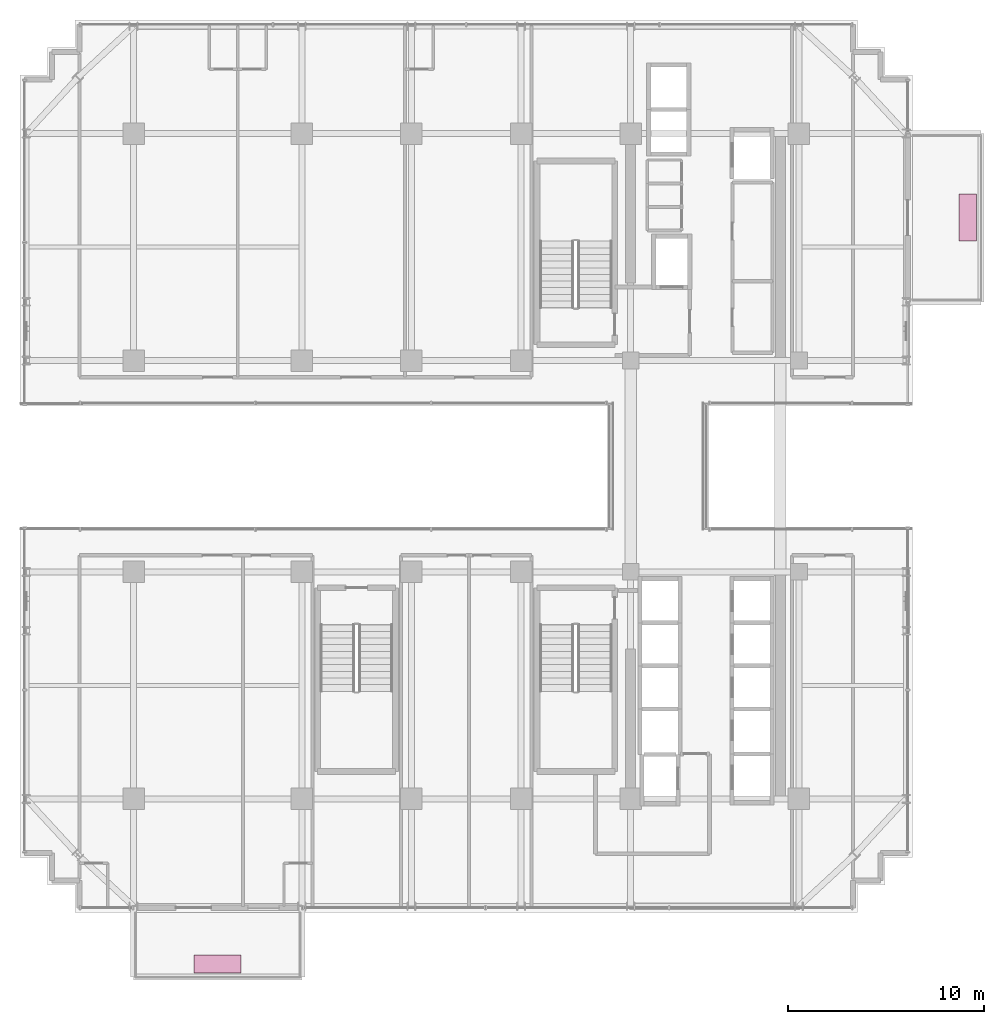
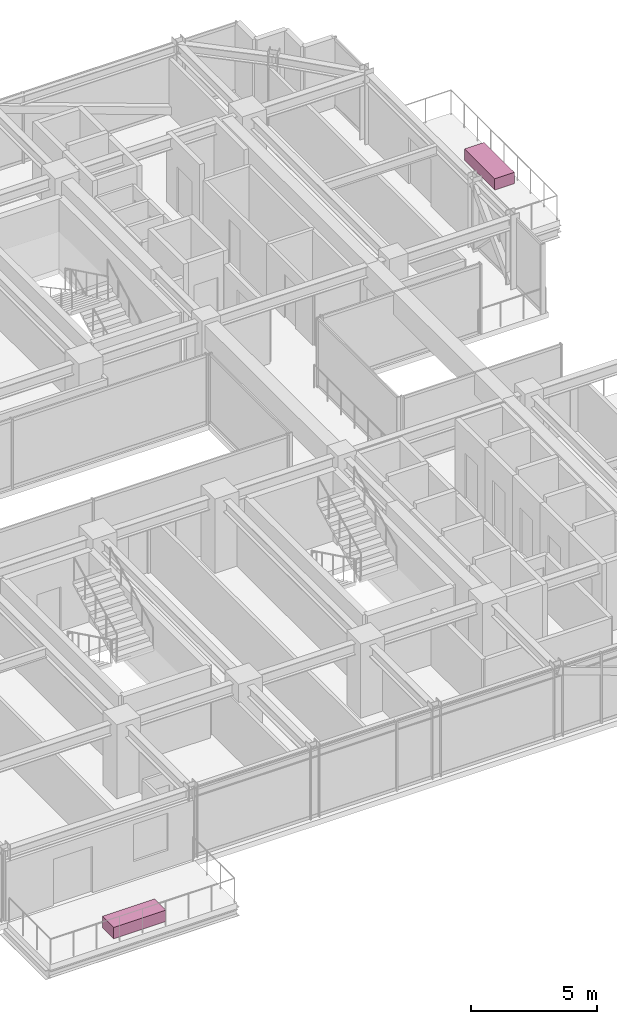
# One storey, part 38 of 38: 2 furnishings.
"""IFC4 building model written with IfcOpenShell, lengths in metres."""

import ifcopenshell
import ifcopenshell.guid

model = None  # the IFC model being written
_history = None  # IfcOwnerHistory: only IFC2X3 demands one
_inside = {}  # id of a spatial element -> (the spatial element, [elements in it])
_under = {}  # id of a project, library or spatial element -> (it, [spatial elements below it])
_declared = {}  # id of a project -> (the project, [libraries it declares])
_typed = {}  # id of a type object -> (the type object, [elements of that type])
_made_of = {}  # id of a material, layer set ... -> (it, [elements and type objects made of it])


def new_model(schema):
    """Start an empty IFC model of exactly this schema.

    Asked for "IFC4X3", IfcOpenShell would pick the latest addendum, in which some entities
    have other attributes; the version numbers below select the first issue.
    IFC2X3 requires an IfcOwnerHistory on every rooted entity: one is made here for all.
    """
    global model, _history
    if schema == "IFC4X3":
        model = ifcopenshell.file(schema_version=(4, 3, 0, 0))
    else:
        model = ifcopenshell.file(schema=schema)
    _inside.clear()
    _under.clear()
    _declared.clear()
    _typed.clear()
    _made_of.clear()
    _history = None
    if model.schema == "IFC2X3":
        org = make("IfcOrganization", Name="unknown")
        user = make(
            "IfcPersonAndOrganization",
            ThePerson=make("IfcPerson", FamilyName="unknown"),
            TheOrganization=org,
        )
        app = make(
            "IfcApplication",
            ApplicationDeveloper=org,
            Version="unknown",
            ApplicationFullName="unknown",
            ApplicationIdentifier="unknown",
        )
        _history = make(
            "IfcOwnerHistory",
            OwningUser=user,
            OwningApplication=app,
            ChangeAction="ADDED",
            CreationDate=0,
        )
    return model


def make(cls, **values):
    """One entity of the class cls with the attributes given. An attribute that is None is left unset."""
    return model.create_entity(
        cls, **{name: value for name, value in values.items() if value is not None}
    )


def rooted(cls, **values):
    """An entity with a GlobalId (a new one), such as an element, a storey or a relation."""
    return make(cls, GlobalId=ifcopenshell.guid.new(), OwnerHistory=_history, **values)


def si_unit(unit_type, name, prefix=None):
    """IfcSIUnit, for example si_unit("LENGTHUNIT", "METRE", prefix="MILLI")."""
    return make("IfcSIUnit", UnitType=unit_type, Prefix=prefix, Name=name)


def assignment(units):
    """IfcUnitAssignment: the units of a project."""
    return None if units is None else make("IfcUnitAssignment", Units=units)


def point(xyz):
    """IfcCartesianPoint."""
    return None if xyz is None else make("IfcCartesianPoint", Coordinates=xyz)


def direction(xyz):
    """IfcDirection."""
    return None if xyz is None else make("IfcDirection", DirectionRatios=xyz)


def frame(location, z_axis=None, x_axis=None):
    """IfcAxis2Placement3D, a coordinate frame: its origin and axes. An axis left out is left unset."""
    return make(
        "IfcAxis2Placement3D",
        Location=point(location),
        Axis=direction(z_axis),
        RefDirection=direction(x_axis),
    )


def frame_2d(location, x_axis=None):
    """IfcAxis2Placement2D, a coordinate frame in the plane: its origin and x axis."""
    return make(
        "IfcAxis2Placement2D", Location=point(location), RefDirection=direction(x_axis)
    )


def origin():
    """The frame at (0, 0, 0) with its axes left unset."""
    return frame((0.0, 0.0, 0.0))


def origin_2d():
    """The frame at (0, 0) in the plane with its x axis left unset."""
    return frame_2d((0.0, 0.0))


def place(relative_to, where):
    """IfcLocalPlacement: puts the frame where relative to a parent placement (None: the world)."""
    return make(
        "IfcLocalPlacement", PlacementRelTo=relative_to, RelativePlacement=where
    )


def context(
    kind, dimensions, precision=None, world=None, true_north=None, identifier=None
):
    """IfcGeometricRepresentationContext, for example the 3D "Model" context."""
    return make(
        "IfcGeometricRepresentationContext",
        ContextIdentifier=identifier,
        ContextType=kind,
        CoordinateSpaceDimension=dimensions,
        Precision=precision,
        WorldCoordinateSystem=world,
        TrueNorth=true_north,
    )


def subcontext(parent, identifier, kind, view, scale=None):
    """IfcGeometricRepresentationSubContext, for example "Body" below "Model"."""
    return make(
        "IfcGeometricRepresentationSubContext",
        ContextIdentifier=identifier,
        ContextType=kind,
        ParentContext=parent,
        TargetScale=scale,
        TargetView=view,
    )


def project(units=None, contexts=None):
    """IfcProject with its units and contexts."""
    return rooted(
        "IfcProject",
        Name="project",
        RepresentationContexts=contexts,
        UnitsInContext=assignment(units),
    )


def spatial(cls, under=None, at=None, **own):
    """A site, building, storey or space (cls), placed at a placement, below another one or the project."""
    s = rooted(cls, ObjectPlacement=at, **own)
    if under is not None:
        _under.setdefault(under.id(), (under, []))[1].append(s)
    return s


def profile(cls, at=None, kind="AREA", **sizes):
    """A parametric profile (cls). Its sizes go by their IFC names, for example OverallWidth=200.0."""
    return make(cls, ProfileType=kind, Position=at, **sizes)


def rectangle(**sizes):
    """IfcRectangleProfileDef."""
    return profile("IfcRectangleProfileDef", **sizes)


def extrude(swept, where, along, depth):
    """IfcExtrudedAreaSolid: the profile swept, set in the frame where, extruded along a direction by depth."""
    return make(
        "IfcExtrudedAreaSolid",
        SweptArea=swept,
        Position=where,
        ExtrudedDirection=direction(along),
        Depth=depth,
    )


def shape(context_of_items, identifier, shape_type, items):
    """IfcShapeRepresentation: the items that make up one representation, for example the "Body"."""
    return make(
        "IfcShapeRepresentation",
        ContextOfItems=context_of_items,
        RepresentationIdentifier=identifier,
        RepresentationType=shape_type,
        Items=items,
    )


def source(mapping_origin, context_of_items, identifier, shape_type, items):
    """IfcRepresentationMap: a shape defined once, which mapped items show again and again."""
    return make(
        "IfcRepresentationMap",
        MappingOrigin=mapping_origin,
        MappedRepresentation=shape(context_of_items, identifier, shape_type, items),
    )


def transform(
    local_origin,
    x_axis=None,
    y_axis=None,
    z_axis=None,
    scale=None,
    scale2=None,
    scale3=None,
    uniform=True,
):
    """IfcCartesianTransformationOperator3D, or its non-uniform kind. x_axis, y_axis, z_axis: its Axis1, 2, 3."""
    if uniform:
        return make(
            "IfcCartesianTransformationOperator3D",
            Axis1=direction(x_axis),
            Axis2=direction(y_axis),
            LocalOrigin=point(local_origin),
            Scale=scale,
            Axis3=direction(z_axis),
        )
    return make(
        "IfcCartesianTransformationOperator3DnonUniform",
        Axis1=direction(x_axis),
        Axis2=direction(y_axis),
        LocalOrigin=point(local_origin),
        Scale=scale,
        Axis3=direction(z_axis),
        Scale2=scale2,
        Scale3=scale3,
    )


def mapped(mapping_source, mapping_target):
    """IfcMappedItem: shows the shape of a source again, moved by a transform."""
    return make(
        "IfcMappedItem", MappingSource=mapping_source, MappingTarget=mapping_target
    )


def material(Name=None, Category=None):
    """IfcMaterial."""
    return make("IfcMaterial", Name=Name, Category=Category)


def made_of(thing, what):
    """Note that an element or type object is made of a material, layer set ...; save() writes the relation."""
    if what is not None:
        _made_of.setdefault(what.id(), (what, []))[1].append(thing)
    return thing


def type_object(cls, material=None, **own):
    """A type object (cls), such as IfcWallType, which elements share."""
    return made_of(rooted(cls, **own), material)


def element(
    cls,
    number,
    at=None,
    inside=None,
    cuts=None,
    type_object=None,
    material=None,
    context=None,
    identifier="Body",
    shape_type=None,
    held_by="IfcProductDefinitionShape",
    body=None,
    shapes=None,
    **own,
):
    """One element of the class cls, such as IfcWall. Its Tag is "e" and its number.

    at: its placement. inside: the storey or other place that contains it. cuts: it is an
    opening in that element (IfcRelVoidsElement). A single representation is given by context,
    identifier, shape_type and body (its items); several are given by shapes. held_by: the class
    of the entity that holds the representations. save() writes the other relations.
    """
    e = rooted(cls, Tag="e%d" % number, ObjectPlacement=at, **own)
    if body is not None:
        shapes = [shape(context, identifier, shape_type, body)]
    if shapes is not None:
        e.Representation = make(held_by, Representations=shapes)
    if inside is not None:
        _inside.setdefault(inside.id(), (inside, []))[1].append(e)
    if cuts is not None:
        rooted(
            "IfcRelVoidsElement", RelatingBuildingElement=cuts, RelatedOpeningElement=e
        )
    if type_object is not None:
        _typed.setdefault(type_object.id(), (type_object, []))[1].append(e)
    return made_of(e, material)


def aggregate(whole, parts):
    """IfcRelAggregates: a whole, such as a stair, and the parts it consists of."""
    return rooted("IfcRelAggregates", RelatingObject=whole, RelatedObjects=parts)


def save(model, path):
    """Write the relations noted so far, then the file.

    IfcRelAggregates (storeys below a building ...), IfcRelContainedInSpatialStructure (elements
    in a storey), IfcRelDefinesByType, IfcRelAssociatesMaterial and IfcRelDeclares: one each for
    every whole, place, type object, material and project.
    """
    for whole, parts in _under.values():
        aggregate(whole, parts)
    for where, things in _inside.values():
        rooted(
            "IfcRelContainedInSpatialStructure",
            RelatedElements=things,
            RelatingStructure=where,
        )
    for kind, things in _typed.values():
        rooted("IfcRelDefinesByType", RelatedObjects=things, RelatingType=kind)
    for what, things in _made_of.values():
        rooted("IfcRelAssociatesMaterial", RelatedObjects=things, RelatingMaterial=what)
    for by, libraries in _declared.values():
        rooted("IfcRelDeclares", RelatingContext=by, RelatedDefinitions=libraries)
    model.write(path)


model = new_model("IFC4")

# Units and contexts
model_context = context("Model", 3, precision=1e-05, world=origin(), true_north=direction((0.0, 1.0)))
body_context = subcontext(model_context, "Body", "Model", "MODEL_VIEW")
ifc_project = project(units=[si_unit("LENGTHUNIT", "METRE"), si_unit("AREAUNIT", "SQUARE_METRE"), si_unit("VOLUMEUNIT", "CUBIC_METRE"), si_unit("PLANEANGLEUNIT", "RADIAN"), si_unit("MASSUNIT", "GRAM", prefix="KILO")], contexts=[model_context])

# Site, building, storey
site_placement = place(None, origin())
site = spatial("IfcSite", under=ifc_project, at=site_placement, CompositionType="ELEMENT")
building_placement = place(site_placement, origin())
building = spatial("IfcBuilding", under=site, at=building_placement, Name="Nahalor Promenade Grand Hotel", CompositionType="ELEMENT")
storey_placement = place(building_placement, frame((0.0, 0.0, 178.199951171875)))
storey = spatial("IfcBuildingStorey", under=building, at=storey_placement, Name="L45", CompositionType="ELEMENT", Elevation=178.199951171875)

# Furnishings
ifc_material = material(Name="Vegetated Volcanic-Lapilli Tree Planter", Category="earth")
furnishing_element_type = type_object("IfcFurnishingElementType", Name="Planter-VerticalForest-Box", material=ifc_material)
shared_shape = source(origin(), body_context, "Body", "SweptSolid", [
    extrude(rectangle(XDim=2.39990234375, YDim=0.89990234375, at=origin_2d()), origin(), (0.0, 0.0, 1.0), 0.550048828125),
])
for number, where, z_axis, x_axis, name in (
    (1, (-12.699951171875, -25.429931640625, 0.0), (0.0, 0.0, 1.0), (1.0, 0.0, 0.0), "L45 Balcony Structural Tree Planter 1"),
    (2, (25.6298828125, 12.699951171875, 0.0), (0.0, 0.0, 1.0), (0.0, 1.0, 0.0), "L45 Balcony Structural Tree Planter 2"),
):
    element("IfcFurnishingElement", number, at=place(storey_placement, frame(where, z_axis=z_axis, x_axis=x_axis)), inside=storey, type_object=furnishing_element_type, Name=name, ObjectType="PLANTER", context=body_context, shape_type="MappedRepresentation", body=[
        mapped(shared_shape, transform((0.0, 0.0, 0.0), scale=1.0)),
    ])

save(model, "model.ifc")
